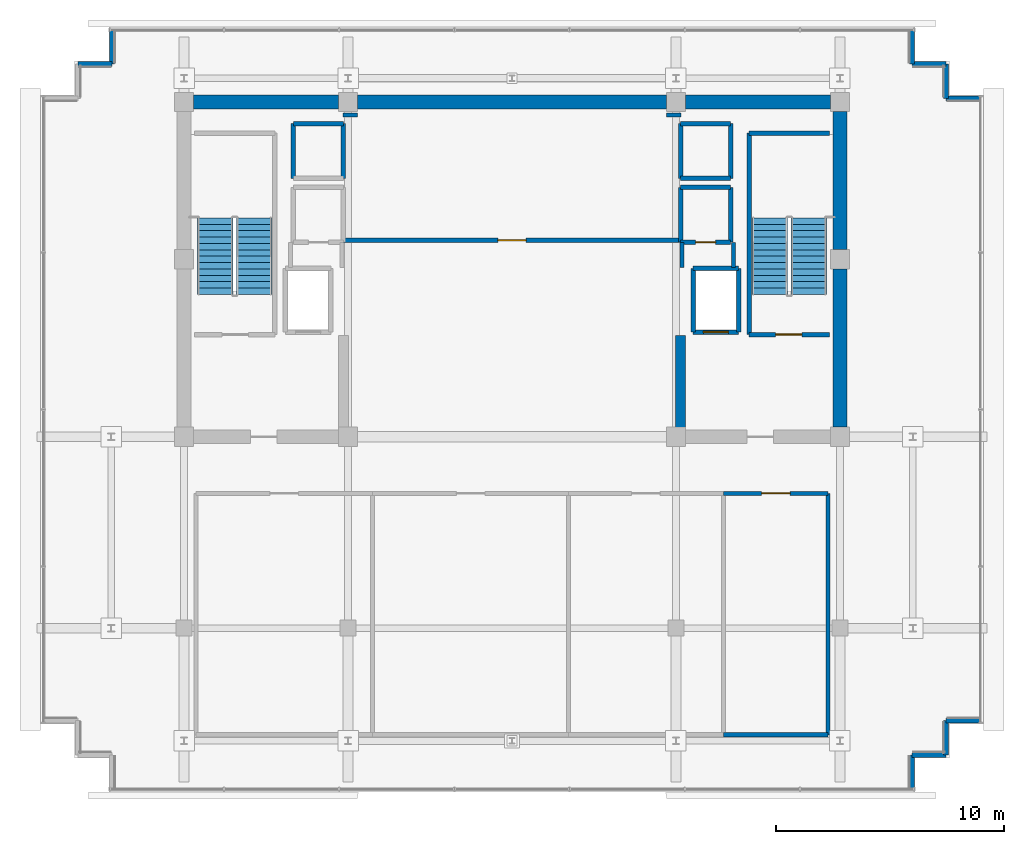
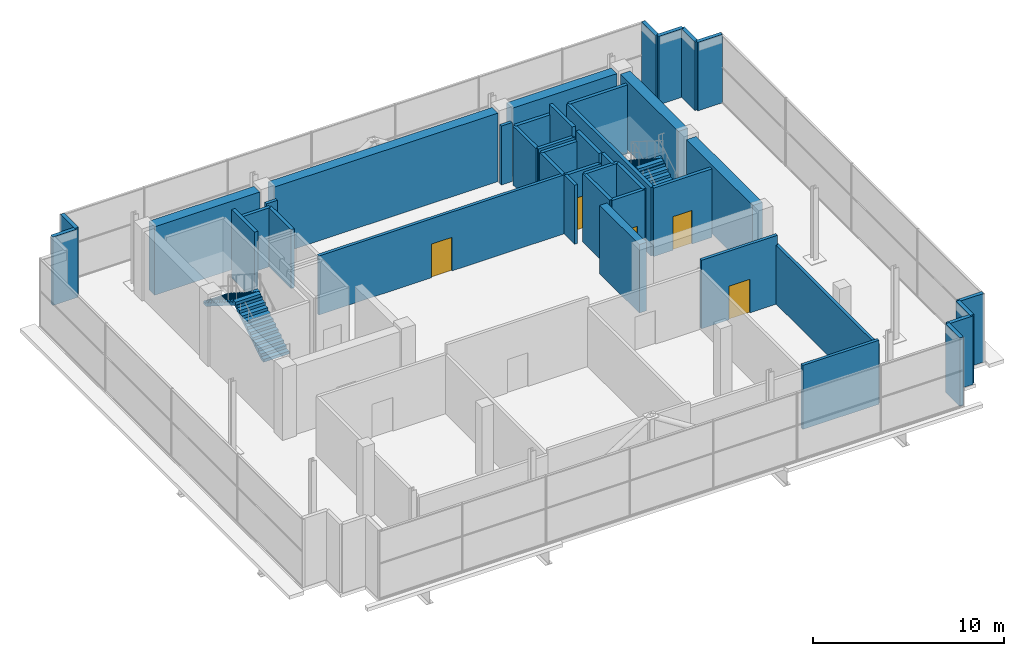
# One storey, part 25 of 28: 42 walls, 5 doors, 4 stair flights, 5 openings, 2 elements without a shape of their own.
"""IFC4 building model written with IfcOpenShell, lengths in metres."""

from ifc_helpers import new_model, si_unit, direction, frame, frame_2d, origin, place, context, subcontext, project, spatial, polyline, rectangle, outline, extrude, source, transform, mapped, material, layer, layer_set, type_object, element, fill, aggregate, save


model = new_model("IFC4")

# Units and contexts
model_context = context("Model", 3, precision=1e-05, world=origin(), true_north=direction((0.0, 1.0)))
body_context = subcontext(model_context, "Body", "Model", "MODEL_VIEW")
ifc_project = project(units=[si_unit("LENGTHUNIT", "METRE"), si_unit("AREAUNIT", "SQUARE_METRE"), si_unit("VOLUMEUNIT", "CUBIC_METRE"), si_unit("PLANEANGLEUNIT", "RADIAN"), si_unit("MASSUNIT", "GRAM", prefix="KILO")], contexts=[model_context])

# Site, building, storey
site_placement = place(None, origin())
site = spatial("IfcSite", under=ifc_project, at=site_placement, CompositionType="ELEMENT")
building_placement = place(site_placement, origin())
building = spatial("IfcBuilding", under=site, at=building_placement, Name="Zarnakvel Exchange Tower", CompositionType="ELEMENT")
storey_placement = place(building_placement, frame((0.0, 0.0, 271.60009765625)))
storey = spatial("IfcBuildingStorey", under=building, at=storey_placement, Name="Crown L77", CompositionType="ELEMENT", Elevation=271.60009765625)

# Walls
ifc_material_1 = material(Name="Concrete C50/60", Category="concrete")
ifc_layer_1 = layer(ifc_material_1, 0.60009765625)
ifc_layer_set_1 = layer_set([ifc_layer_1], Name="Concrete C50/60")
wall_type_1 = type_object("IfcWallType", Name="CW-C5", PredefinedType="SHEAR", material=ifc_layer_set_1)
wall_1_placement = place(storey_placement, frame((-13.97509765625, 13.5, 0.0), z_axis=(0.0, 0.0, 1.0), x_axis=(1.0, 0.0, 0.0)))
element("IfcWall", 1, at=wall_1_placement, inside=storey, type_object=wall_type_1, Name="Crown L77 Rear Core Shear Wall N1 (CW-C5)", PredefinedType="SHEAR", context=body_context, shape_type="SweptSolid", body=[
    extrude(rectangle(XDim=6.35009765625, YDim=0.60009765625, at=frame_2d((3.175048828125, 0.0))), origin(), (0.0, 0.0, 1.0), 4.3798828125),
])
wall_2_placement = place(storey_placement, frame((-6.77490234375, 13.5, 0.0), z_axis=(0.0, 0.0, 1.0), x_axis=(1.0, 0.0, 0.0)))
element("IfcWall", 2, at=wall_2_placement, inside=storey, type_object=wall_type_1, Name="Crown L77 Rear Core Shear Wall N2 (CW-C5)", PredefinedType="SHEAR", context=body_context, shape_type="SweptSolid", body=[
    extrude(rectangle(XDim=13.5498046875, YDim=0.60009765625, at=frame_2d((6.77490234375, 0.0))), origin(), (0.0, 0.0, 1.0), 4.3798828125),
])
wall_3_placement = place(storey_placement, frame((7.625, 13.5, 0.0), z_axis=(0.0, 0.0, 1.0), x_axis=(1.0, 0.0, 0.0)))
element("IfcWall", 3, at=wall_3_placement, inside=storey, type_object=wall_type_1, Name="Crown L77 Rear Core Shear Wall N3 (CW-C5)", PredefinedType="SHEAR", context=body_context, shape_type="SweptSolid", body=[
    extrude(rectangle(XDim=6.35009765625, YDim=0.60009765625, at=frame_2d((3.175048828125, 0.0))), origin(), (0.0, 0.0, 1.0), 4.3798828125),
])
wall_4_placement = place(storey_placement, frame((14.39990234375, -0.77490234375, 0.0), z_axis=(0.0, 0.0, 1.0), x_axis=(0.0, 1.0, 0.0)))
element("IfcWall", 4, at=wall_4_placement, inside=storey, type_object=wall_type_1, Name="Crown L77 Rear Core Shear Wall E1 (CW-C5)", PredefinedType="SHEAR", context=body_context, shape_type="SweptSolid", body=[
    extrude(rectangle(XDim=6.949951171875, YDim=0.60009765625, at=frame_2d((3.47509765625, 0.0))), origin(), (0.0, 0.0, 1.0), 4.3798828125),
])
wall_5_placement = place(storey_placement, frame((14.39990234375, 7.02490234375, 0.0), z_axis=(0.0, 0.0, 1.0), x_axis=(0.0, 1.0, 0.0)))
element("IfcWall", 5, at=wall_5_placement, inside=storey, type_object=wall_type_1, Name="Crown L77 Rear Core Shear Wall E2 (CW-C5)", PredefinedType="SHEAR", context=body_context, shape_type="SweptSolid", body=[
    extrude(rectangle(XDim=6.050048828125, YDim=0.60009765625, at=frame_2d((3.02490234375, 0.0))), origin(), (0.0, 0.0, 1.0), 4.3798828125),
])
ifc_layer_2 = layer(ifc_material_1, 0.449951171875)
ifc_layer_set_2 = layer_set([ifc_layer_2], Name="Concrete C50/60")
wall_type_2 = type_object("IfcWallType", Name="CW-C6", PredefinedType="SHEAR", material=ifc_layer_set_2)
wall_6_placement = place(storey_placement, frame((7.39990234375, -0.89990234375, 0.0), z_axis=(0.0, 0.0, 1.0), x_axis=(0.0, 1.0, 0.0)))
element("IfcWall", 6, at=wall_6_placement, inside=storey, type_object=wall_type_2, Name="Crown L77 Rear Core Shear Wall IE (CW-C6)", PredefinedType="SHEAR", context=body_context, shape_type="SweptSolid", body=[
    extrude(rectangle(XDim=4.14990234375, YDim=0.449951171875, at=frame_2d((2.074951171875, 0.0))), origin(), (0.0, 0.0, 1.0), 4.3798828125),
])
ifc_material_2 = material(Name="Precast concrete C40/50", Category="concrete")
ifc_layer_3 = layer(ifc_material_2, 0.219970703125)
ifc_layer_set_3 = layer_set([ifc_layer_3], Name="Precast concrete C40/50")
wall_type_3 = type_object("IfcWallType", Name="EW-03", PredefinedType="SOLIDWALL", material=ifc_layer_set_3)
for number, where, z_axis, x_axis, name in (
    (7, (-17.56005859375, 15.159912109375, 0.0), (0.0, 0.0, 1.0), (-1.0, 0.0, 0.0), "Crown L77 Exterior Precast Spandrel Wall EW-Crown L77-C04 (EW-03)"),
    (8, (-17.56005859375, 16.659912109375, 0.0), (0.0, 0.0, 1.0), (0.0, -1.0, 0.0), "Crown L77 Exterior Precast Spandrel Wall EW-Crown L77-C05 (EW-03)"),
    (9, (17.56005859375, 15.159912109375, 0.0), (0.0, 0.0, 1.0), (0.0, 1.0, 0.0), "Crown L77 Exterior Precast Spandrel Wall EW-Crown L77-C07 (EW-03)"),
    (10, (19.06005859375, 15.159912109375, 0.0), (0.0, 0.0, 1.0), (-1.0, 0.0, 0.0), "Crown L77 Exterior Precast Spandrel Wall EW-Crown L77-C08 (EW-03)"),
    (11, (19.06005859375, 13.659912109375, 0.0), (0.0, 0.0, 1.0), (0.0, 1.0, 0.0), "Crown L77 Exterior Precast Spandrel Wall EW-Crown L77-C09 (EW-03)"),
    (12, (20.56005859375, 13.659912109375, 0.0), (0.0, 0.0, 1.0), (-1.0, 0.0, 0.0), "Crown L77 Exterior Precast Spandrel Wall EW-Crown L77-C10 (EW-03)"),
    (13, (19.06005859375, -13.659912109375, 0.0), (0.0, 0.0, 1.0), (1.0, 0.0, 0.0), "Crown L77 Exterior Precast Spandrel Wall EW-Crown L77-C12 (EW-03)"),
    (14, (19.06005859375, -15.159912109375, 0.0), (0.0, 0.0, 1.0), (0.0, 1.0, 0.0), "Crown L77 Exterior Precast Spandrel Wall EW-Crown L77-C13 (EW-03)"),
    (15, (17.56005859375, -15.159912109375, 0.0), (0.0, 0.0, 1.0), (1.0, 0.0, 0.0), "Crown L77 Exterior Precast Spandrel Wall EW-Crown L77-C14 (EW-03)"),
    (16, (17.56005859375, -16.659912109375, 0.0), (0.0, 0.0, 1.0), (0.0, 1.0, 0.0), "Crown L77 Exterior Precast Spandrel Wall EW-Crown L77-C15 (EW-03)"),
):
    element("IfcWall", number, at=place(storey_placement, frame(where, z_axis=z_axis, x_axis=x_axis)), inside=storey, type_object=wall_type_3, Name=name, PredefinedType="SOLIDWALL", context=body_context, shape_type="SweptSolid", body=[
        extrude(rectangle(XDim=1.5, YDim=0.219970703125, at=frame_2d((0.75, 0.0))), origin(), (0.0, 0.0, 1.0), 4.3798828125),
    ])

# Wall, opening, door
ifc_material_3 = material(Name="Fire-Rated Gypsum Stud Partition", Category="gypsum")
ifc_layer_4 = layer(ifc_material_3, 0.179931640625)
ifc_layer_set_4 = layer_set([ifc_layer_4], Name="Fire-Rated Gypsum Stud Partition")
wall_type_4 = type_object("IfcWallType", Name="PT-02", PredefinedType="PARTITIONING", material=ifc_layer_set_4)
wall_7_placement = place(storey_placement, frame((7.429931640625, 7.429931640625, 0.0), z_axis=(0.0, 0.0, 1.0), x_axis=(-1.0, 0.0, 0.0)))
wall_7 = element("IfcWall", 17, at=wall_7_placement, inside=storey, type_object=wall_type_4, Name="Crown L77 Partition Wall PWALL-Crown L77-007 (PT-02)", PredefinedType="PARTITIONING", context=body_context, shape_type="SweptSolid", body=[
    extrude(rectangle(XDim=14.85986328125, YDim=0.179931640625, at=frame_2d((7.429931640625, 0.0))), origin(), (0.0, 0.0, 1.0), 3.77001953125),
])
opening_1_placement = place(wall_7_placement, frame((6.804931640625, 0.0, 0.0)))
opening_1 = element("IfcOpeningElement", 18, at=opening_1_placement, cuts=wall_7, Name="Opening D-Crown L77-05", PredefinedType="OPENING", context=body_context, shape_type="SweptSolid", body=[
    extrude(rectangle(XDim=1.25, YDim=2.14990234375, at=frame_2d((0.625, 1.074951171875))), frame((0.0, 0.099853515625, 0.0), z_axis=(0.0, -1.0, 0.0), x_axis=(1.0, 0.0, 0.0)), (0.0, 0.0, 1.0), 0.199951171875),
])
ifc_material_4 = material(Name="Painted Galvanised Steel S355", Category="steel")
door_type_1 = type_object("IfcDoorType", Name="DT-06", OperationType="NOTDEFINED", PredefinedType="DOOR", material=ifc_material_4)
shared_shape_1 = source(origin(), body_context, "Body", "SweptSolid", [
    extrude(rectangle(XDim=1.25, YDim=2.14990234375, at=frame_2d((0.625, 1.074951171875))), frame((0.0, 0.02490234375, 0.0), z_axis=(0.0, -1.0, 0.0), x_axis=(1.0, 0.0, 0.0)), (0.0, 0.0, 1.0), 0.050048828125),
])
door_1_placement = place(opening_1_placement, origin())
door_1 = element("IfcDoor", 19, at=door_1_placement, inside=storey, type_object=door_type_1, Name="Crown L77 High-Rise Lift Machine Room Door D-Crown L77-05", OperationType="SINGLE_SWING_LEFT", OverallHeight=2.14990234375, OverallWidth=1.25, PredefinedType="DOOR", context=body_context, shape_type="MappedRepresentation", body=[
    mapped(shared_shape_1, transform((0.0, 0.0, 0.0), x_axis=(1.0, 0.0, 0.0), y_axis=(0.0, 1.0, 0.0), z_axis=(0.0, 0.0, 1.0), scale=1.0)),
])
fill(opening_1, door_1)

# Walls
for number, where, z_axis, x_axis, name in (
    (20, (-7.429931640625, 12.929931640625, 0.0), (0.0, 0.0, 1.0), (1.0, 0.0, 0.0), "Crown L77 Partition Wall PWALL-Crown L77-008 (PT-02)"),
    (21, (6.77490234375, 12.929931640625, 0.0), (0.0, 0.0, 1.0), (1.0, 0.0, 0.0), "Crown L77 Partition Wall PWALL-Crown L77-009 (PT-02)"),
):
    element("IfcWall", number, at=place(storey_placement, frame(where, z_axis=z_axis, x_axis=x_axis)), inside=storey, type_object=wall_type_4, Name=name, PredefinedType="PARTITIONING", context=body_context, shape_type="SweptSolid", body=[
        extrude(rectangle(XDim=0.655029296875, YDim=0.179931640625, at=frame_2d((0.32763671875, 0.0))), origin(), (0.0, 0.0, 1.0), 3.77001953125),
    ])
wall_8_placement = place(storey_placement, frame((7.469970703125, 6.239990234375, 0.0), z_axis=(0.0, 0.0, 1.0), x_axis=(0.0, 1.0, 0.0)))
element("IfcWall", 22, at=wall_8_placement, inside=storey, type_object=wall_type_4, Name="Crown L77 Partition Wall PWALL-Crown L77-012 (PT-02)", PredefinedType="PARTITIONING", context=body_context, shape_type="SweptSolid", body=[
    extrude(rectangle(XDim=1.090087890625, YDim=0.179931640625, at=frame_2d((0.544921875, 0.0))), origin(), (0.0, 0.0, 1.0), 3.77001953125),
])
wall_9_placement = place(storey_placement, frame((9.72998046875, 7.330078125, 0.0), z_axis=(0.0, 0.0, 1.0), x_axis=(0.0, -1.0, 0.0)))
element("IfcWall", 23, at=wall_9_placement, inside=storey, type_object=wall_type_4, Name="Crown L77 Partition Wall PWALL-Crown L77-013 (PT-02)", PredefinedType="PARTITIONING", context=body_context, shape_type="SweptSolid", body=[
    extrude(rectangle(XDim=1.090087890625, YDim=0.179931640625, at=frame_2d((0.544921875, 0.0))), origin(), (0.0, 0.0, 1.0), 4.3798828125),
])
wall_10_placement = place(storey_placement, frame((13.8798828125, -14.280029296875, 0.0), z_axis=(0.0, 0.0, 1.0), x_axis=(-1.0, 0.0, 0.0)))
element("IfcWall", 24, at=wall_10_placement, inside=storey, type_object=wall_type_4, Name="Crown L77 Partition Wall PWALL-Crown L77-024 (PT-02)", PredefinedType="PARTITIONING", context=body_context, shape_type="SweptSolid", body=[
    extrude(rectangle(XDim=4.599853515625, YDim=0.179931640625, at=frame_2d((2.2998046875, 0.0))), origin(), (0.0, 0.0, 1.0), 4.08984375),
])

# Wall, opening, door
wall_11_placement = place(storey_placement, frame((9.280029296875, -3.679931640625, 0.0), z_axis=(0.0, 0.0, 1.0), x_axis=(1.0, 0.0, 0.0)))
wall_11 = element("IfcWall", 25, at=wall_11_placement, inside=storey, type_object=wall_type_4, Name="Crown L77 Partition Wall PWALL-Crown L77-025 (PT-02)", PredefinedType="PARTITIONING", context=body_context, shape_type="SweptSolid", body=[
    extrude(rectangle(XDim=4.599853515625, YDim=0.179931640625, at=frame_2d((2.2998046875, 0.0))), origin(), (0.0, 0.0, 1.0), 4.3798828125),
])
opening_2_placement = place(wall_11_placement, frame((1.675048828125, 0.0, 0.0)))
opening_2 = element("IfcOpeningElement", 26, at=opening_2_placement, cuts=wall_11, Name="Opening D-Crown L77-09", PredefinedType="OPENING", context=body_context, shape_type="SweptSolid", body=[
    extrude(rectangle(XDim=1.25, YDim=2.14990234375, at=frame_2d((0.625, 1.074951171875))), frame((0.0, 0.099853515625, 0.0), z_axis=(0.0, -1.0, 0.0), x_axis=(1.0, 0.0, 0.0)), (0.0, 0.0, 1.0), 0.199951171875),
])
door_2_placement = place(opening_2_placement, origin())
door_2 = element("IfcDoor", 27, at=door_2_placement, inside=storey, type_object=door_type_1, Name="Crown L77 BMS Control Plant Room Door D-Crown L77-09", OperationType="SINGLE_SWING_LEFT", OverallHeight=2.14990234375, OverallWidth=1.25, PredefinedType="DOOR", context=body_context, shape_type="MappedRepresentation", body=[
    mapped(shared_shape_1, transform((0.0, 0.0, 0.0), x_axis=(1.0, 0.0, 0.0), y_axis=(0.0, 1.0, 0.0), z_axis=(0.0, 0.0, 1.0), scale=1.0)),
])
fill(opening_2, door_2)

# Wall
wall_12_placement = place(storey_placement, frame((13.8798828125, -3.679931640625, 0.0), z_axis=(0.0, 0.0, 1.0), x_axis=(0.0, -1.0, 0.0)))
element("IfcWall", 28, at=wall_12_placement, inside=storey, type_object=wall_type_4, Name="Crown L77 Partition Wall PWALL-Crown L77-026 (PT-02)", PredefinedType="PARTITIONING", context=body_context, shape_type="SweptSolid", body=[
    extrude(rectangle(XDim=10.60009765625, YDim=0.179931640625, at=frame_2d((5.300048828125, 0.0))), origin(), (0.0, 0.0, 1.0), 3.77001953125),
])

# Wall, opening, door
ifc_material_5 = material(Name="Concrete C40/50", Category="concrete")
ifc_layer_5 = layer(ifc_material_5, 0.199951171875)
ifc_layer_set_5 = layer_set([ifc_layer_5], Name="Concrete C40/50")
wall_type_5 = type_object("IfcWallType", Name="SW-01", PredefinedType="SOLIDWALL", material=ifc_layer_set_5)
wall_13_placement = place(storey_placement, frame((9.949951171875, 3.39990234375, 0.0), z_axis=(0.0, 0.0, 1.0), x_axis=(-1.0, 0.0, 0.0)))
wall_13 = element("IfcWall", 29, at=wall_13_placement, inside=storey, type_object=wall_type_5, Name="Crown L77 FL-02 Hoistway Wall South", PredefinedType="SOLIDWALL", context=body_context, shape_type="SweptSolid", body=[
    extrude(rectangle(XDim=2.0, YDim=0.199951171875, at=frame_2d((1.0, 0.0))), origin(), (0.0, 0.0, 1.0), 4.3798828125),
])
opening_3_placement = place(wall_13_placement, frame((0.449951171875, 0.0, 0.0)))
opening_3 = element("IfcOpeningElement", 30, at=opening_3_placement, cuts=wall_13, Name="Opening LD-FL-02-Crown L77", PredefinedType="OPENING", context=body_context, shape_type="SweptSolid", body=[
    extrude(rectangle(XDim=1.10009765625, YDim=2.199951171875, at=frame_2d((0.550048828125, 1.10009765625))), frame((0.0, 0.10986328125, 0.0), z_axis=(0.0, -1.0, 0.0), x_axis=(1.0, 0.0, 0.0)), (0.0, 0.0, 1.0), 0.219970703125),
])
ifc_material_6 = material(Name="Brushed Stainless Steel", Category="steel")
door_type_2 = type_object("IfcDoorType", Name="LDT-01", OperationType="NOTDEFINED", PredefinedType="DOOR", material=ifc_material_6)
shared_shape_2 = source(origin(), body_context, "Body", "SweptSolid", [
    extrude(rectangle(XDim=1.10009765625, YDim=2.199951171875, at=frame_2d((0.550048828125, 1.10009765625))), frame((0.0, 0.02490234375, 0.0), z_axis=(0.0, -1.0, 0.0), x_axis=(1.0, 0.0, 0.0)), (0.0, 0.0, 1.0), 0.050048828125),
])
door_3_placement = place(opening_3_placement, origin())
door_3 = element("IfcDoor", 31, at=door_3_placement, inside=storey, type_object=door_type_2, Name="Crown L77 FL-02 Lift Landing Door LD-FL-02-Crown L77", OperationType="DOUBLE_DOOR_SLIDING", OverallHeight=2.199951171875, OverallWidth=1.10009765625, PredefinedType="DOOR", context=body_context, shape_type="MappedRepresentation", body=[
    mapped(shared_shape_2, transform((0.0, 0.0, 0.0), x_axis=(1.0, 0.0, 0.0), y_axis=(0.0, 1.0, 0.0), z_axis=(0.0, 0.0, 1.0), scale=1.0)),
])
fill(opening_3, door_3)

# Walls
wall_14_placement = place(storey_placement, frame((7.949951171875, 6.199951171875, 0.0), z_axis=(0.0, 0.0, 1.0), x_axis=(1.0, 0.0, 0.0)))
element("IfcWall", 32, at=wall_14_placement, inside=storey, type_object=wall_type_5, Name="Crown L77 FL-02 Hoistway Wall North", PredefinedType="SOLIDWALL", context=body_context, shape_type="SweptSolid", body=[
    extrude(rectangle(XDim=2.0, YDim=0.199951171875, at=frame_2d((1.0, 0.0))), origin(), (0.0, 0.0, 1.0), 4.3798828125),
])
for number, where, z_axis, x_axis, name in (
    (33, (7.949951171875, 3.39990234375, 0.0), (0.0, 0.0, 1.0), (0.0, 1.0, 0.0), "Crown L77 FL-02 Hoistway Wall West"),
    (34, (9.949951171875, 6.199951171875, 0.0), (0.0, 0.0, 1.0), (0.0, -1.0, 0.0), "Crown L77 FL-02 Hoistway Wall East"),
):
    element("IfcWall", number, at=place(storey_placement, frame(where, z_axis=z_axis, x_axis=x_axis)), inside=storey, type_object=wall_type_5, Name=name, PredefinedType="SOLIDWALL", context=body_context, shape_type="SweptSolid", body=[
        extrude(rectangle(XDim=2.800048828125, YDim=0.199951171875, at=frame_2d((1.39990234375, 0.0))), origin(), (0.0, 0.0, 1.0), 4.3798828125),
    ])
wall_15_placement = place(storey_placement, frame((-9.60009765625, 12.550048828125, 0.0), z_axis=(0.0, 0.0, 1.0), x_axis=(1.0, 0.0, 0.0)))
element("IfcWall", 35, at=wall_15_placement, inside=storey, type_object=wall_type_5, Name="Crown L77 PL-10 Hoistway Wall North", PredefinedType="SOLIDWALL", context=body_context, shape_type="SweptSolid", body=[
    extrude(rectangle(XDim=2.2001953125, YDim=0.199951171875, at=frame_2d((1.10009765625, 0.0))), origin(), (0.0, 0.0, 1.0), 3.77001953125),
])
wall_16_placement = place(storey_placement, frame((-9.60009765625, 10.14990234375, 0.0), z_axis=(0.0, 0.0, 1.0), x_axis=(0.0, 1.0, 0.0)))
element("IfcWall", 36, at=wall_16_placement, inside=storey, type_object=wall_type_5, Name="Crown L77 PL-10 Hoistway Wall West", PredefinedType="SOLIDWALL", context=body_context, shape_type="SweptSolid", body=[
    extrude(rectangle(XDim=2.400146484375, YDim=0.199951171875, at=frame_2d((1.2001953125, 0.0))), origin(), (0.0, 0.0, 1.0), 4.3798828125),
])
wall_17_placement = place(storey_placement, frame((-7.39990234375, 12.550048828125, 0.0), z_axis=(0.0, 0.0, 1.0), x_axis=(0.0, -1.0, 0.0)))
element("IfcWall", 37, at=wall_17_placement, inside=storey, type_object=wall_type_5, Name="Crown L77 PL-10 Hoistway Wall East", PredefinedType="SOLIDWALL", context=body_context, shape_type="SweptSolid", body=[
    extrude(rectangle(XDim=2.400146484375, YDim=0.199951171875, at=frame_2d((1.2001953125, 0.0))), origin(), (0.0, 0.0, 1.0), 3.77001953125),
])

# Wall, opening, door
wall_18_placement = place(storey_placement, frame((9.60009765625, 7.35009765625, 0.0), z_axis=(0.0, 0.0, 1.0), x_axis=(-1.0, 0.0, 0.0)))
wall_18 = element("IfcWall", 38, at=wall_18_placement, inside=storey, type_object=wall_type_5, Name="Crown L77 PL-11 Hoistway Wall South", PredefinedType="SOLIDWALL", context=body_context, shape_type="SweptSolid", body=[
    extrude(rectangle(XDim=2.2001953125, YDim=0.199951171875, at=frame_2d((1.10009765625, 0.0))), origin(), (0.0, 0.0, 1.0), 3.77001953125),
])
opening_4_placement = place(wall_18_placement, frame((0.659912109375, 0.0, 0.0)))
opening_4 = element("IfcOpeningElement", 39, at=opening_4_placement, cuts=wall_18, Name="Opening D-Crown L77-11", PredefinedType="OPENING", context=body_context, shape_type="SweptSolid", body=[
    extrude(rectangle(XDim=0.8798828125, YDim=2.10009765625, at=frame_2d((0.43994140625, 1.050048828125))), frame((0.0, 0.10986328125, 0.0), z_axis=(0.0, -1.0, 0.0), x_axis=(1.0, 0.0, 0.0)), (0.0, 0.0, 1.0), 0.219970703125),
])
door_type_3 = type_object("IfcDoorType", Name="DT-08", OperationType="NOTDEFINED", PredefinedType="DOOR", material=ifc_material_4)
shared_shape_3 = source(origin(), body_context, "Body", "SweptSolid", [
    extrude(rectangle(XDim=0.8798828125, YDim=2.10009765625, at=frame_2d((0.43994140625, 1.050048828125))), frame((0.0, 0.02490234375, 0.0), z_axis=(0.0, -1.0, 0.0), x_axis=(1.0, 0.0, 0.0)), (0.0, 0.0, 1.0), 0.050048828125),
])
door_4_placement = place(opening_4_placement, origin())
door_4 = element("IfcDoor", 40, at=door_4_placement, inside=storey, type_object=door_type_3, Name="Crown L77 Telecom Riser Door D-Crown L77-11", OperationType="SINGLE_SWING_LEFT", OverallHeight=2.10009765625, OverallWidth=0.8798828125, PredefinedType="DOOR", context=body_context, shape_type="MappedRepresentation", body=[
    mapped(shared_shape_3, transform((0.0, 0.0, 0.0), x_axis=(1.0, 0.0, 0.0), y_axis=(0.0, 1.0, 0.0), z_axis=(0.0, 0.0, 1.0), scale=1.0)),
])
fill(opening_4, door_4)

# Walls
wall_19_placement = place(storey_placement, frame((7.39990234375, 9.75, 0.0), z_axis=(0.0, 0.0, 1.0), x_axis=(1.0, 0.0, 0.0)))
element("IfcWall", 41, at=wall_19_placement, inside=storey, type_object=wall_type_5, Name="Crown L77 PL-11 Hoistway Wall North", PredefinedType="SOLIDWALL", context=body_context, shape_type="SweptSolid", body=[
    extrude(rectangle(XDim=2.2001953125, YDim=0.199951171875, at=frame_2d((1.10009765625, 0.0))), origin(), (0.0, 0.0, 1.0), 3.77001953125),
])
wall_20_placement = place(storey_placement, frame((7.39990234375, 7.35009765625, 0.0), z_axis=(0.0, 0.0, 1.0), x_axis=(0.0, 1.0, 0.0)))
element("IfcWall", 42, at=wall_20_placement, inside=storey, type_object=wall_type_5, Name="Crown L77 PL-11 Hoistway Wall West", PredefinedType="SOLIDWALL", context=body_context, shape_type="SweptSolid", body=[
    extrude(rectangle(XDim=2.39990234375, YDim=0.199951171875, at=frame_2d((1.199951171875, 0.0))), origin(), (0.0, 0.0, 1.0), 3.77001953125),
])
wall_21_placement = place(storey_placement, frame((9.60009765625, 9.75, 0.0), z_axis=(0.0, 0.0, 1.0), x_axis=(0.0, -1.0, 0.0)))
element("IfcWall", 43, at=wall_21_placement, inside=storey, type_object=wall_type_5, Name="Crown L77 PL-11 Hoistway Wall East", PredefinedType="SOLIDWALL", context=body_context, shape_type="SweptSolid", body=[
    extrude(rectangle(XDim=2.39990234375, YDim=0.199951171875, at=frame_2d((1.199951171875, 0.0))), origin(), (0.0, 0.0, 1.0), 4.3798828125),
])
for number, where, z_axis, x_axis, name in (
    (44, (9.60009765625, 10.14990234375, 0.0), (0.0, 0.0, 1.0), (-1.0, 0.0, 0.0), "Crown L77 PL-12 Hoistway Wall South"),
    (45, (7.39990234375, 12.550048828125, 0.0), (0.0, 0.0, 1.0), (1.0, 0.0, 0.0), "Crown L77 PL-12 Hoistway Wall North"),
):
    element("IfcWall", number, at=place(storey_placement, frame(where, z_axis=z_axis, x_axis=x_axis)), inside=storey, type_object=wall_type_5, Name=name, PredefinedType="SOLIDWALL", context=body_context, shape_type="SweptSolid", body=[
        extrude(rectangle(XDim=2.2001953125, YDim=0.199951171875, at=frame_2d((1.10009765625, 0.0))), origin(), (0.0, 0.0, 1.0), 3.77001953125),
    ])
wall_22_placement = place(storey_placement, frame((7.39990234375, 10.14990234375, 0.0), z_axis=(0.0, 0.0, 1.0), x_axis=(0.0, 1.0, 0.0)))
element("IfcWall", 46, at=wall_22_placement, inside=storey, type_object=wall_type_5, Name="Crown L77 PL-12 Hoistway Wall West", PredefinedType="SOLIDWALL", context=body_context, shape_type="SweptSolid", body=[
    extrude(rectangle(XDim=2.400146484375, YDim=0.199951171875, at=frame_2d((1.2001953125, 0.0))), origin(), (0.0, 0.0, 1.0), 3.77001953125),
])
wall_23_placement = place(storey_placement, frame((9.60009765625, 12.550048828125, 0.0), z_axis=(0.0, 0.0, 1.0), x_axis=(0.0, -1.0, 0.0)))
element("IfcWall", 47, at=wall_23_placement, inside=storey, type_object=wall_type_5, Name="Crown L77 PL-12 Hoistway Wall East", PredefinedType="SOLIDWALL", context=body_context, shape_type="SweptSolid", body=[
    extrude(rectangle(XDim=2.400146484375, YDim=0.199951171875, at=frame_2d((1.2001953125, 0.0))), origin(), (0.0, 0.0, 1.0), 4.3798828125),
])

# Wall, opening, door
ifc_layer_6 = layer(ifc_material_5, 0.199951171875)
ifc_layer_set_6 = layer_set([ifc_layer_6], Name="Concrete C40/50")
wall_type_6 = type_object("IfcWallType", Name="SW-02", PredefinedType="SOLIDWALL", material=ifc_layer_set_6)
wall_24_placement = place(storey_placement, frame((13.929931640625, 3.2900390625, 0.0), z_axis=(0.0, 0.0, 1.0), x_axis=(-1.0, 0.0, 0.0)))
wall_24 = element("IfcWall", 48, at=wall_24_placement, inside=storey, type_object=wall_type_6, Name="Crown L77 Stairwell Core Wall PWALL-Crown L77-004 (SW-02)", PredefinedType="SOLIDWALL", context=body_context, shape_type="SweptSolid", body=[
    extrude(rectangle(XDim=3.52001953125, YDim=0.199951171875, at=frame_2d((1.760009765625, 0.0))), origin(), (0.0, 0.0, 1.0), 4.3798828125),
])
opening_5_placement = place(wall_24_placement, frame((1.205078125, 0.0, 0.0)))
opening_5 = element("IfcOpeningElement", 49, at=opening_5_placement, cuts=wall_24, Name="Opening D-Crown L77-02", PredefinedType="OPENING", context=body_context, shape_type="SweptSolid", body=[
    extrude(rectangle(XDim=1.14990234375, YDim=2.14990234375, at=frame_2d((0.574951171875, 1.074951171875))), frame((0.0, 0.10986328125, 0.0), z_axis=(0.0, -1.0, 0.0), x_axis=(1.0, 0.0, 0.0)), (0.0, 0.0, 1.0), 0.219970703125),
])
door_type_4 = type_object("IfcDoorType", Name="DT-04", OperationType="NOTDEFINED", PredefinedType="DOOR", material=ifc_material_4)
shared_shape_4 = source(origin(), body_context, "Body", "SweptSolid", [
    extrude(rectangle(XDim=1.14990234375, YDim=2.14990234375, at=frame_2d((0.574951171875, 1.074951171875))), frame((0.0, 0.02490234375, 0.0), z_axis=(0.0, -1.0, 0.0), x_axis=(1.0, 0.0, 0.0)), (0.0, 0.0, 1.0), 0.050048828125),
])
door_5_placement = place(opening_5_placement, origin())
door_5 = element("IfcDoor", 50, at=door_5_placement, inside=storey, type_object=door_type_4, Name="Crown L77 Stairwell ST-02 Door D-Crown L77-02", OperationType="SINGLE_SWING_RIGHT", OverallHeight=2.14990234375, OverallWidth=1.14990234375, PredefinedType="DOOR", context=body_context, shape_type="MappedRepresentation", body=[
    mapped(shared_shape_4, transform((0.0, 0.0, 0.0), x_axis=(1.0, 0.0, 0.0), y_axis=(0.0, 1.0, 0.0), z_axis=(0.0, 0.0, 1.0), scale=1.0)),
])
fill(opening_5, door_5)

# Walls
wall_25_placement = place(storey_placement, frame((10.409912109375, 12.1298828125, 0.0), z_axis=(0.0, 0.0, 1.0), x_axis=(1.0, 0.0, 0.0)))
element("IfcWall", 51, at=wall_25_placement, inside=storey, type_object=wall_type_6, Name="Crown L77 Stairwell Core Wall PWALL-Crown L77-005 (SW-02)", PredefinedType="SOLIDWALL", context=body_context, shape_type="SweptSolid", body=[
    extrude(rectangle(XDim=3.52001953125, YDim=0.199951171875, at=frame_2d((1.760009765625, 0.0))), origin(), (0.0, 0.0, 1.0), 4.3798828125),
])
wall_26_placement = place(storey_placement, frame((10.409912109375, 3.2900390625, 0.0), z_axis=(0.0, 0.0, 1.0), x_axis=(0.0, 1.0, 0.0)))
element("IfcWall", 52, at=wall_26_placement, inside=storey, type_object=wall_type_6, Name="Crown L77 Stairwell Core Wall PWALL-Crown L77-006 (SW-02)", PredefinedType="SOLIDWALL", context=body_context, shape_type="SweptSolid", body=[
    extrude(rectangle(XDim=8.83984375, YDim=0.199951171875, at=frame_2d((4.419921875, 0.0))), origin(), (0.0, 0.0, 1.0), 4.3798828125),
])

# Stair, stair flights
stair_type = type_object("IfcStairType", Name="STR-01", PredefinedType="HALF_TURN_STAIR", material=ifc_material_5)
stair_1_placement = place(storey_placement, origin())
stair_1 = element("IfcStair", 53, at=stair_1_placement, inside=storey, type_object=stair_type, Name="Crown L77 Protected Core Exit Stair ST-01", PredefinedType="HALF_TURN_STAIR")
stair_flight_type = type_object("IfcStairFlightType", Name="FLT-01", PredefinedType="STRAIGHT", material=ifc_material_5)
stair_flight_1_placement = place(storey_placement, frame((-11.31494140625, 5.050048828125, 0.0), z_axis=(0.0, 0.0, 1.0), x_axis=(0.0, 1.0, 0.0)))
stair_flight_1 = element("IfcStairFlight", 54, at=stair_flight_1_placement, type_object=stair_flight_type, Name="ST-01 flight 1", NumberOfRisers=13, NumberOfTreads=12, PredefinedType="STRAIGHT", RiserHeight=0.176923077, TreadLength=0.28, context=body_context, shape_type="SweptSolid", body=[
    extrude(outline(polyline([(0.0, 0.0), (0.0, 0.177001953125), (0.280029296875, 0.177001953125), (0.280029296875, 0.353759765625), (0.56005859375, 0.353759765625), (0.56005859375, 0.53076171875), (0.840087890625, 0.53076171875), (0.840087890625, 0.707763671875), (1.1201171875, 0.707763671875), (1.1201171875, 0.884521484375), (1.39990234375, 0.884521484375), (1.39990234375, 1.0615234375), (1.679931640625, 1.0615234375), (1.679931640625, 1.238525390625), (1.9599609375, 1.238525390625), (1.9599609375, 1.415283203125), (2.239990234375, 1.415283203125), (2.239990234375, 1.59228515625), (2.52001953125, 1.59228515625), (2.52001953125, 1.769287109375), (2.800048828125, 1.769287109375), (2.800048828125, 1.946044921875), (3.080078125, 1.946044921875), (3.080078125, 2.123046875), (3.360107421875, 2.123046875), (3.360107421875, 2.300048828125), (3.360107421875, 1.94580078125), (0.280517578125, 0.0), (0.0, 0.0)])), frame((0.0, 0.77490234375, 0.0), z_axis=(0.0, -1.0, 0.0), x_axis=(1.0, 0.0, 0.0)), (0.0, 0.0, 1.0), 1.550048828125),
])
stair_flight_2_placement = place(storey_placement, frame((-13.02490234375, 8.409912109375, 2.2998046875), z_axis=(0.0, 0.0, 1.0), x_axis=(0.0, -1.0, 0.0)))
stair_flight_2 = element("IfcStairFlight", 55, at=stair_flight_2_placement, type_object=stair_flight_type, Name="ST-01 flight 2", NumberOfRisers=13, NumberOfTreads=12, PredefinedType="STRAIGHT", RiserHeight=0.176923077, TreadLength=0.28, context=body_context, shape_type="SweptSolid", body=[
    extrude(outline(polyline([(0.0, 0.0), (0.0, 0.177001953125), (0.280029296875, 0.177001953125), (0.280029296875, 0.353759765625), (0.56005859375, 0.353759765625), (0.56005859375, 0.53076171875), (0.840087890625, 0.53076171875), (0.840087890625, 0.707763671875), (1.1201171875, 0.707763671875), (1.1201171875, 0.884521484375), (1.39990234375, 0.884521484375), (1.39990234375, 1.0615234375), (1.679931640625, 1.0615234375), (1.679931640625, 1.238525390625), (1.9599609375, 1.238525390625), (1.9599609375, 1.415283203125), (2.239990234375, 1.415283203125), (2.239990234375, 1.59228515625), (2.52001953125, 1.59228515625), (2.52001953125, 1.769287109375), (2.800048828125, 1.769287109375), (2.800048828125, 1.946044921875), (3.080078125, 1.946044921875), (3.080078125, 2.123046875), (3.360107421875, 2.123046875), (3.360107421875, 2.300048828125), (3.360107421875, 1.94580078125), (0.280517578125, 0.0), (0.0, 0.0)])), frame((0.0, 0.77490234375, 0.0), z_axis=(0.0, -1.0, 0.0), x_axis=(1.0, 0.0, 0.0)), (0.0, 0.0, 1.0), 1.550048828125),
])
aggregate(stair_1, [stair_flight_1, stair_flight_2])

stair_2_placement = place(storey_placement, origin())
stair_2 = element("IfcStair", 56, at=stair_2_placement, inside=storey, type_object=stair_type, Name="Crown L77 Protected Core Exit Stair ST-02", PredefinedType="HALF_TURN_STAIR")
stair_flight_3_placement = place(storey_placement, frame((13.02490234375, 5.050048828125, 0.0), z_axis=(0.0, 0.0, 1.0), x_axis=(0.0, 1.0, 0.0)))
stair_flight_3 = element("IfcStairFlight", 57, at=stair_flight_3_placement, type_object=stair_flight_type, Name="ST-02 flight 1", NumberOfRisers=13, NumberOfTreads=12, PredefinedType="STRAIGHT", RiserHeight=0.176923077, TreadLength=0.28, context=body_context, shape_type="SweptSolid", body=[
    extrude(outline(polyline([(0.0, 0.0), (0.0, 0.177001953125), (0.280029296875, 0.177001953125), (0.280029296875, 0.353759765625), (0.56005859375, 0.353759765625), (0.56005859375, 0.53076171875), (0.840087890625, 0.53076171875), (0.840087890625, 0.707763671875), (1.1201171875, 0.707763671875), (1.1201171875, 0.884521484375), (1.39990234375, 0.884521484375), (1.39990234375, 1.0615234375), (1.679931640625, 1.0615234375), (1.679931640625, 1.238525390625), (1.9599609375, 1.238525390625), (1.9599609375, 1.415283203125), (2.239990234375, 1.415283203125), (2.239990234375, 1.59228515625), (2.52001953125, 1.59228515625), (2.52001953125, 1.769287109375), (2.800048828125, 1.769287109375), (2.800048828125, 1.946044921875), (3.080078125, 1.946044921875), (3.080078125, 2.123046875), (3.360107421875, 2.123046875), (3.360107421875, 2.300048828125), (3.360107421875, 1.94580078125), (0.280517578125, 0.0), (0.0, 0.0)])), frame((0.0, 0.77490234375, 0.0), z_axis=(0.0, -1.0, 0.0), x_axis=(1.0, 0.0, 0.0)), (0.0, 0.0, 1.0), 1.550048828125),
])
stair_flight_4_placement = place(storey_placement, frame((11.31494140625, 8.409912109375, 2.2998046875), z_axis=(0.0, 0.0, 1.0), x_axis=(0.0, -1.0, 0.0)))
stair_flight_4 = element("IfcStairFlight", 58, at=stair_flight_4_placement, type_object=stair_flight_type, Name="ST-02 flight 2", NumberOfRisers=13, NumberOfTreads=12, PredefinedType="STRAIGHT", RiserHeight=0.176923077, TreadLength=0.28, context=body_context, shape_type="SweptSolid", body=[
    extrude(outline(polyline([(0.0, 0.0), (0.0, 0.177001953125), (0.280029296875, 0.177001953125), (0.280029296875, 0.353759765625), (0.56005859375, 0.353759765625), (0.56005859375, 0.53076171875), (0.840087890625, 0.53076171875), (0.840087890625, 0.707763671875), (1.1201171875, 0.707763671875), (1.1201171875, 0.884521484375), (1.39990234375, 0.884521484375), (1.39990234375, 1.0615234375), (1.679931640625, 1.0615234375), (1.679931640625, 1.238525390625), (1.9599609375, 1.238525390625), (1.9599609375, 1.415283203125), (2.239990234375, 1.415283203125), (2.239990234375, 1.59228515625), (2.52001953125, 1.59228515625), (2.52001953125, 1.769287109375), (2.800048828125, 1.769287109375), (2.800048828125, 1.946044921875), (3.080078125, 1.946044921875), (3.080078125, 2.123046875), (3.360107421875, 2.123046875), (3.360107421875, 2.300048828125), (3.360107421875, 1.94580078125), (0.280517578125, 0.0), (0.0, 0.0)])), frame((0.0, 0.77490234375, 0.0), z_axis=(0.0, -1.0, 0.0), x_axis=(1.0, 0.0, 0.0)), (0.0, 0.0, 1.0), 1.550048828125),
])
aggregate(stair_2, [stair_flight_3, stair_flight_4])

save(model, "model.ifc")
